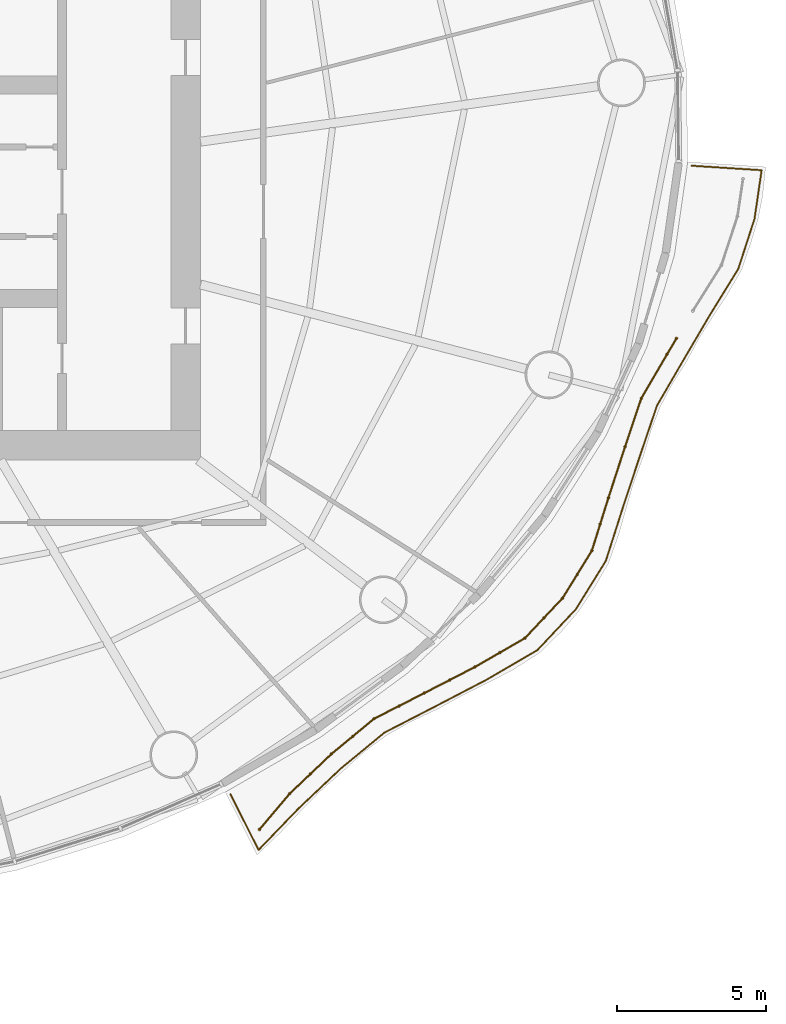
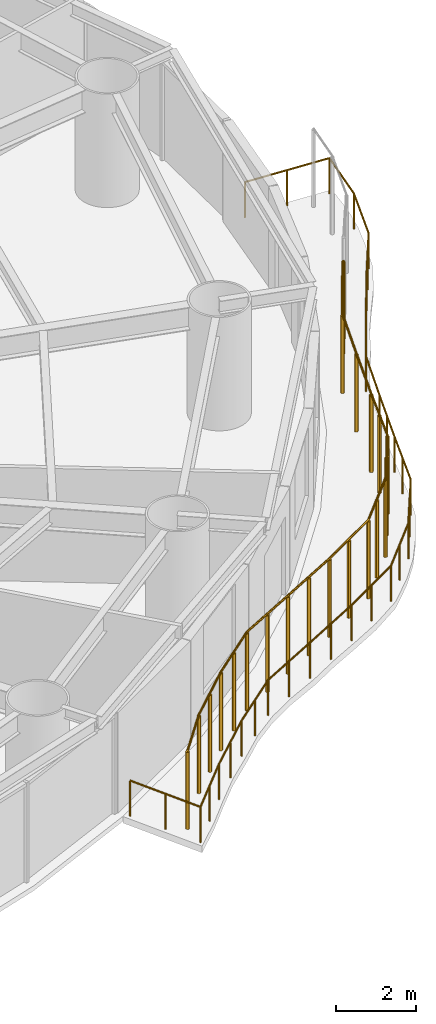
# One storey, part 14 of 17: 2 railings.
"""IFC4 building model written with IfcOpenShell, lengths in metres."""

from ifc_helpers import new_model, si_unit, direction, frame, origin, origin_2d, place, context, subcontext, project, spatial, circle, extrude, material, type_object, element, save


model = new_model("IFC4")

# Units and contexts
model_context = context("Model", 3, precision=1e-05, world=origin(), true_north=direction((0.0, 1.0)))
body_context = subcontext(model_context, "Body", "Model", "MODEL_VIEW")
ifc_project = project(units=[si_unit("LENGTHUNIT", "METRE"), si_unit("AREAUNIT", "SQUARE_METRE"), si_unit("VOLUMEUNIT", "CUBIC_METRE"), si_unit("PLANEANGLEUNIT", "RADIAN"), si_unit("MASSUNIT", "GRAM", prefix="KILO")], contexts=[model_context])

# Site, building, storey
site_placement = place(None, origin())
site = spatial("IfcSite", under=ifc_project, at=site_placement, CompositionType="ELEMENT")
building_placement = place(site_placement, origin())
building = spatial("IfcBuilding", under=site, at=building_placement, Name="Vermilion Reach Broadcast Tower", CompositionType="ELEMENT")
storey_placement = place(building_placement, frame((0.0, 0.0, 92.199951171875)))
storey = spatial("IfcBuildingStorey", under=building, at=storey_placement, Name="L20", CompositionType="ELEMENT", Elevation=92.199951171875)

# Railings
ifc_material_1 = material(Name="Terracotta baguette", Category="masonry")
railing_type_1 = type_object("IfcRailingType", Name="BAGUETTE SCREEN", PredefinedType="USERDEFINED", material=ifc_material_1)
railing_1_placement = place(storey_placement, frame((7.967529296875, -21.389404296875, 0.0)))
element("IfcRailing", 1, at=railing_1_placement, inside=storey, type_object=railing_type_1, Name="Baguette screen L20 group 4 part 1", ObjectType="BAGUETTE SCREEN", PredefinedType="USERDEFINED", context=body_context, shape_type="SweptSolid", body=[
    extrude(circle(Radius=0.030029296875, at=origin_2d()), frame((0.0, 0.0, 2.369873046875), z_axis=(0.645512007499, 0.763750121555, 0.0), x_axis=(-0.763750121555, 0.645512007499, 0.0)), (0.0, 0.0, 1.0), 1.57763671875),
    extrude(circle(Radius=0.030029296875, at=origin_2d()), frame((1.018310546875, 1.204833984375, 2.369873046875), z_axis=(0.724611846559, 0.689157218511, 0.0), x_axis=(-0.689157218511, 0.724611846559, 0.0)), (0.0, 0.0, 1.0), 1.93505859375),
    extrude(circle(Radius=0.030029296875, at=origin_2d()), frame((2.42041015625, 2.538330078125, 2.369873046875), z_axis=(0.771009540374, 0.63682359304, 0.0), x_axis=(-0.63682359304, 0.771009540374, 0.0)), (0.0, 0.0, 1.0), 1.85400390625),
    extrude(circle(Radius=0.030029296875, at=origin_2d()), frame((3.849853515625, 3.718994140625, 2.369873046875), z_axis=(0.89067539577, 0.454639790791, 0.0), x_axis=(-0.454639790791, 0.89067539577, 0.0)), (0.0, 0.0, 1.0), 1.8896484375),
    extrude(circle(Radius=0.030029296875, at=origin_2d()), frame((5.532958984375, 4.578125, 2.369873046875), z_axis=(0.88899357129, 0.457919676586, 0.0), x_axis=(-0.457919676586, 0.88899357129, 0.0)), (0.0, 0.0, 1.0), 1.900634765625),
    extrude(circle(Radius=0.030029296875, at=origin_2d()), frame((7.22265625, 5.448486328125, 2.369873046875), z_axis=(0.866323829841, 0.499482754306, 0.0), x_axis=(-0.499482754306, 0.866323829841, 0.0)), (0.0, 0.0, 1.0), 1.93994140625),
    extrude(circle(Radius=0.030029296875, at=origin_2d()), frame((8.9033203125, 6.41748046875, 2.369873046875), z_axis=(0.685076648594, 0.728470991564, 0.0), x_axis=(-0.728470991564, 0.685076648594, 0.0)), (0.0, 0.0, 1.0), 1.85107421875),
    extrude(circle(Radius=0.030029296875, at=origin_2d()), frame((10.17138671875, 7.765869140625, 2.369873046875), z_axis=(0.524982084645, 0.851113277303, 0.0), x_axis=(-0.851113277303, 0.524982084645, 0.0)), (0.0, 0.0, 1.0), 1.862548828125),
    extrude(circle(Radius=0.030029296875, at=origin_2d()), frame((11.149169921875, 9.35107421875, 2.369873046875), z_axis=(0.298968365669, 0.954263022614, 0.0), x_axis=(-0.954263022614, 0.298968365669, 0.0)), (0.0, 0.0, 1.0), 1.8642578125),
    extrude(circle(Radius=0.030029296875, at=origin_2d()), frame((11.70654296875, 11.130126953125, 2.369873046875), z_axis=(0.309420535369, 0.950925303214, 0.0), x_axis=(-0.950925303214, 0.309420535369, 0.0)), (0.0, 0.0, 1.0), 1.799072265625),
    extrude(circle(Radius=0.030029296875, at=origin_2d()), frame((12.26318359375, 12.8408203125, 2.369873046875), z_axis=(0.318285084406, 0.947995044842, 0.0), x_axis=(-0.947995044842, 0.318285084406, 0.0)), (0.0, 0.0, 1.0), 1.708251953125),
    extrude(circle(Radius=0.030029296875, at=origin_2d()), frame((12.806884765625, 14.460205078125, 2.369873046875), z_axis=(0.504937593844, 0.863155852858, 0.0), x_axis=(-0.863155852858, 0.504937593844, 0.0)), (0.0, 0.0, 1.0), 1.707275390625),
    extrude(circle(Radius=0.030029296875, at=origin_2d()), frame((13.6689453125, 15.933837890625, 2.369873046875), z_axis=(0.510079866834, 0.860127042623, 0.0), x_axis=(-0.860127042623, 0.510079866834, 0.0)), (0.0, 0.0, 1.0), 0.626953125),
    extrude(circle(Radius=0.050048828125, at=origin_2d()), origin(), (0.0, 0.0, 1.0), 2.33984375),
    extrude(circle(Radius=0.050048828125, at=origin_2d()), frame((1.018310546875, 1.204833984375, 0.0)), (0.0, 0.0, 1.0), 2.33984375),
    extrude(circle(Radius=0.050048828125, at=origin_2d()), frame((1.71923828125, 1.87158203125, 0.0)), (0.0, 0.0, 1.0), 2.33984375),
    extrude(circle(Radius=0.050048828125, at=origin_2d()), frame((2.42041015625, 2.538330078125, 0.0)), (0.0, 0.0, 1.0), 2.33984375),
    extrude(circle(Radius=0.050048828125, at=origin_2d()), frame((3.13525390625, 3.128662109375, 0.0)), (0.0, 0.0, 1.0), 2.33984375),
    extrude(circle(Radius=0.050048828125, at=origin_2d()), frame((3.849853515625, 3.718994140625, 0.0)), (0.0, 0.0, 1.0), 2.33984375),
    extrude(circle(Radius=0.050048828125, at=origin_2d()), frame((4.69140625, 4.1484375, 0.0)), (0.0, 0.0, 1.0), 2.33984375),
    extrude(circle(Radius=0.050048828125, at=origin_2d()), frame((5.532958984375, 4.578125, 0.0)), (0.0, 0.0, 1.0), 2.33984375),
    extrude(circle(Radius=0.050048828125, at=origin_2d()), frame((6.3779296875, 5.01318359375, 0.0)), (0.0, 0.0, 1.0), 2.33984375),
    extrude(circle(Radius=0.050048828125, at=origin_2d()), frame((7.22265625, 5.448486328125, 0.0)), (0.0, 0.0, 1.0), 2.33984375),
    extrude(circle(Radius=0.050048828125, at=origin_2d()), frame((8.06298828125, 5.93310546875, 0.0)), (0.0, 0.0, 1.0), 2.33984375),
    extrude(circle(Radius=0.050048828125, at=origin_2d()), frame((8.9033203125, 6.41748046875, 0.0)), (0.0, 0.0, 1.0), 2.33984375),
    extrude(circle(Radius=0.050048828125, at=origin_2d()), frame((9.537353515625, 7.091796875, 0.0)), (0.0, 0.0, 1.0), 2.33984375),
    extrude(circle(Radius=0.050048828125, at=origin_2d()), frame((10.17138671875, 7.765869140625, 0.0)), (0.0, 0.0, 1.0), 2.33984375),
    extrude(circle(Radius=0.050048828125, at=origin_2d()), frame((10.66015625, 8.55859375, 0.0)), (0.0, 0.0, 1.0), 2.33984375),
    extrude(circle(Radius=0.050048828125, at=origin_2d()), frame((11.149169921875, 9.35107421875, 0.0)), (0.0, 0.0, 1.0), 2.33984375),
    extrude(circle(Radius=0.050048828125, at=origin_2d()), frame((11.427734375, 10.24072265625, 0.0)), (0.0, 0.0, 1.0), 2.33984375),
    extrude(circle(Radius=0.050048828125, at=origin_2d()), frame((11.70654296875, 11.130126953125, 0.0)), (0.0, 0.0, 1.0), 2.33984375),
    extrude(circle(Radius=0.050048828125, at=origin_2d()), frame((12.26318359375, 12.8408203125, 0.0)), (0.0, 0.0, 1.0), 2.33984375),
    extrude(circle(Radius=0.050048828125, at=origin_2d()), frame((12.806884765625, 14.460205078125, 0.0)), (0.0, 0.0, 1.0), 2.33984375),
    extrude(circle(Radius=0.050048828125, at=origin_2d()), frame((13.6689453125, 15.933837890625, 0.0)), (0.0, 0.0, 1.0), 2.33984375),
    extrude(circle(Radius=0.050048828125, at=origin_2d()), frame((13.98876953125, 16.47314453125, 0.0)), (0.0, 0.0, 1.0), 2.33984375),
])
ifc_material_2 = material(Name="Stainless steel 316 balustrade", Category="steel")
railing_type_2 = type_object("IfcRailingType", Name="Balcony guard 1100", PredefinedType="BALUSTRADE", material=ifc_material_2)
railing_2_placement = place(storey_placement, frame((7.00048828125, -20.20556640625, 0.0)))
element("IfcRailing", 2, at=railing_2_placement, inside=storey, type_object=railing_type_2, Name="Balcony guard L20 group 4", PredefinedType="BALUSTRADE", context=body_context, shape_type="SweptSolid", body=[
    extrude(circle(Radius=0.02490234375, at=origin_2d()), frame((0.0, 0.0, 1.0751953125), z_axis=(0.4508531432, -0.892598142092, 0.0), x_axis=(0.892598142092, 0.4508531432, 0.0)), (0.0, 0.0, 1.0), 2.0908203125),
    extrude(circle(Radius=0.02490234375, at=origin_2d()), frame((0.942626953125, -1.8662109375, 1.0751953125), z_axis=(0.693316890698, 0.720632839296, 0.0), x_axis=(-0.720632839296, 0.693316890698, 0.0)), (0.0, 0.0, 1.0), 1.921630859375),
    extrude(circle(Radius=0.02490234375, at=origin_2d()), frame((2.27490234375, -0.4814453125, 1.0751953125), z_axis=(0.727051019307, 0.686583436535, 0.0), x_axis=(-0.686583436535, 0.727051019307, 0.0)), (0.0, 0.0, 1.0), 1.966796875),
    extrude(circle(Radius=0.02490234375, at=origin_2d()), frame((3.704833984375, 0.868896484375, 1.0751953125), z_axis=(0.771889145204, 0.635757145077, 0.0), x_axis=(-0.635757145077, 0.771889145204, 0.0)), (0.0, 0.0, 1.0), 1.88671875),
    extrude(circle(Radius=0.02490234375, at=origin_2d()), frame((5.1611328125, 2.068359375, 1.0751953125), z_axis=(0.889109218451, 0.457695092463, 0.0), x_axis=(-0.457695092463, 0.889109218451, 0.0)), (0.0, 0.0, 1.0), 1.9228515625),
    extrude(circle(Radius=0.02490234375, at=origin_2d()), frame((6.870849609375, 2.948486328125, 1.0751953125), z_axis=(0.887061694042, 0.461650897284, 0.0), x_axis=(-0.461650897284, 0.887061694042, 0.0)), (0.0, 0.0, 1.0), 1.933349609375),
    extrude(circle(Radius=0.02490234375, at=origin_2d()), frame((8.5859375, 3.841064453125, 1.0751953125), z_axis=(0.863980652686, 0.503525006117, 0.0), x_axis=(-0.503525006117, 0.863980652686, 0.0)), (0.0, 0.0, 1.0), 1.974365234375),
    extrude(circle(Radius=0.02490234375, at=origin_2d()), frame((10.291748046875, 4.835205078125, 1.0751953125), z_axis=(0.684762957498, 0.72876586915, 0.0), x_axis=(-0.72876586915, 0.684762957498, 0.0)), (0.0, 0.0, 1.0), 1.886474609375),
    extrude(circle(Radius=0.02490234375, at=origin_2d()), frame((11.58349609375, 6.2099609375, 1.0751953125), z_axis=(0.526783703984, 0.849999370127, 0.0), x_axis=(-0.849999370127, 0.526783703984, 0.0)), (0.0, 0.0, 1.0), 1.899658203125),
    extrude(circle(Radius=0.02490234375, at=origin_2d()), frame((12.584228515625, 7.82470703125, 1.0751953125), z_axis=(0.304444636728, 0.952530032685, 0.0), x_axis=(-0.952530032685, 0.304444636728, 0.0)), (0.0, 0.0, 1.0), 1.899658203125),
    extrude(circle(Radius=0.02490234375, at=origin_2d()), frame((13.16259765625, 9.63427734375, 1.0751953125), z_axis=(0.313874726929, 0.949464404702, 0.0), x_axis=(-0.949464404702, 0.313874726929, 0.0)), (0.0, 0.0, 1.0), 1.837158203125),
    extrude(circle(Radius=0.02490234375, at=origin_2d()), frame((13.7392578125, 11.378662109375, 1.0751953125), z_axis=(0.321253828138, 0.94699312453, 0.0), x_axis=(-0.94699312453, 0.321253828138, 0.0)), (0.0, 0.0, 1.0), 1.7470703125),
    extrude(circle(Radius=0.02490234375, at=origin_2d()), frame((14.300537109375, 13.033203125, 1.0751953125), z_axis=(0.502263554383, 0.864714589873, 0.0), x_axis=(-0.864714589873, 0.502263554383, 0.0)), (0.0, 0.0, 1.0), 1.748046875),
    extrude(circle(Radius=0.02490234375, at=origin_2d()), frame((15.178466796875, 14.544677734375, 1.0751953125), z_axis=(0.505959276566, 0.862557366473, 0.0), x_axis=(-0.862557366473, 0.505959276566, 0.0)), (0.0, 0.0, 1.0), 1.750732421875),
    extrude(circle(Radius=0.02490234375, at=origin_2d()), frame((16.064208984375, 16.0546875, 1.0751953125), z_axis=(0.524253437705, 0.851562289592, 0.0), x_axis=(-0.851562289592, 0.524253437705, 0.0)), (0.0, 0.0, 1.0), 1.83349609375),
    extrude(circle(Radius=0.02490234375, at=origin_2d()), frame((17.025390625, 17.615966796875, 1.0751953125), z_axis=(0.308826269319, 0.951118465481, 0.0), x_axis=(-0.951118465481, 0.308826269319, 0.0)), (0.0, 0.0, 1.0), 1.763671875),
    extrude(circle(Radius=0.02490234375, at=origin_2d()), frame((17.570068359375, 19.29345703125, 1.0751953125), z_axis=(0.144448936896, 0.989512255927, 0.0), x_axis=(-0.989512255927, 0.144448936896, 0.0)), (0.0, 0.0, 1.0), 1.64794921875),
    extrude(circle(Radius=0.02490234375, at=origin_2d()), frame((17.80810546875, 20.924072265625, 1.0751953125), z_axis=(-0.997949358924, 0.064008413692, 0.0), x_axis=(-0.064008413692, -0.997949358924, 0.0)), (0.0, 0.0, 1.0), 2.349609375),
    extrude(circle(Radius=0.02490234375, at=origin_2d()), origin(), (0.0, 0.0, 1.0), 1.050048828125),
    extrude(circle(Radius=0.02490234375, at=origin_2d()), frame((0.47119140625, -0.93310546875, 0.0)), (0.0, 0.0, 1.0), 1.050048828125),
    extrude(circle(Radius=0.02490234375, at=origin_2d()), frame((0.942626953125, -1.8662109375, 0.0)), (0.0, 0.0, 1.0), 1.050048828125),
    extrude(circle(Radius=0.02490234375, at=origin_2d()), frame((1.60888671875, -1.173828125, 0.0)), (0.0, 0.0, 1.0), 1.050048828125),
    extrude(circle(Radius=0.02490234375, at=origin_2d()), frame((2.27490234375, -0.4814453125, 0.0)), (0.0, 0.0, 1.0), 1.050048828125),
    extrude(circle(Radius=0.02490234375, at=origin_2d()), frame((2.98974609375, 0.19384765625, 0.0)), (0.0, 0.0, 1.0), 1.050048828125),
    extrude(circle(Radius=0.02490234375, at=origin_2d()), frame((3.704833984375, 0.868896484375, 0.0)), (0.0, 0.0, 1.0), 1.050048828125),
    extrude(circle(Radius=0.02490234375, at=origin_2d()), frame((4.43310546875, 1.46875, 0.0)), (0.0, 0.0, 1.0), 1.050048828125),
    extrude(circle(Radius=0.02490234375, at=origin_2d()), frame((5.1611328125, 2.068359375, 0.0)), (0.0, 0.0, 1.0), 1.050048828125),
    extrude(circle(Radius=0.02490234375, at=origin_2d()), frame((6.01611328125, 2.50830078125, 0.0)), (0.0, 0.0, 1.0), 1.050048828125),
    extrude(circle(Radius=0.02490234375, at=origin_2d()), frame((6.870849609375, 2.948486328125, 0.0)), (0.0, 0.0, 1.0), 1.050048828125),
    extrude(circle(Radius=0.02490234375, at=origin_2d()), frame((7.728515625, 3.394775390625, 0.0)), (0.0, 0.0, 1.0), 1.050048828125),
    extrude(circle(Radius=0.02490234375, at=origin_2d()), frame((8.5859375, 3.841064453125, 0.0)), (0.0, 0.0, 1.0), 1.050048828125),
    extrude(circle(Radius=0.02490234375, at=origin_2d()), frame((9.43896484375, 4.338134765625, 0.0)), (0.0, 0.0, 1.0), 1.050048828125),
    extrude(circle(Radius=0.02490234375, at=origin_2d()), frame((10.291748046875, 4.835205078125, 0.0)), (0.0, 0.0, 1.0), 1.050048828125),
    extrude(circle(Radius=0.02490234375, at=origin_2d()), frame((10.9375, 5.5224609375, 0.0)), (0.0, 0.0, 1.0), 1.050048828125),
    extrude(circle(Radius=0.02490234375, at=origin_2d()), frame((11.58349609375, 6.2099609375, 0.0)), (0.0, 0.0, 1.0), 1.050048828125),
    extrude(circle(Radius=0.02490234375, at=origin_2d()), frame((12.083984375, 7.017333984375, 0.0)), (0.0, 0.0, 1.0), 1.050048828125),
    extrude(circle(Radius=0.02490234375, at=origin_2d()), frame((12.584228515625, 7.82470703125, 0.0)), (0.0, 0.0, 1.0), 1.050048828125),
    extrude(circle(Radius=0.02490234375, at=origin_2d()), frame((12.87353515625, 8.7294921875, 0.0)), (0.0, 0.0, 1.0), 1.050048828125),
    extrude(circle(Radius=0.02490234375, at=origin_2d()), frame((13.16259765625, 9.63427734375, 0.0)), (0.0, 0.0, 1.0), 1.050048828125),
    extrude(circle(Radius=0.02490234375, at=origin_2d()), frame((13.450927734375, 10.50634765625, 0.0)), (0.0, 0.0, 1.0), 1.050048828125),
    extrude(circle(Radius=0.02490234375, at=origin_2d()), frame((13.7392578125, 11.378662109375, 0.0)), (0.0, 0.0, 1.0), 1.050048828125),
    extrude(circle(Radius=0.02490234375, at=origin_2d()), frame((14.300537109375, 13.033203125, 0.0)), (0.0, 0.0, 1.0), 1.050048828125),
    extrude(circle(Radius=0.02490234375, at=origin_2d()), frame((15.178466796875, 14.544677734375, 0.0)), (0.0, 0.0, 1.0), 1.050048828125),
    extrude(circle(Radius=0.02490234375, at=origin_2d()), frame((16.064208984375, 16.0546875, 0.0)), (0.0, 0.0, 1.0), 1.050048828125),
    extrude(circle(Radius=0.02490234375, at=origin_2d()), frame((16.544921875, 16.83544921875, 0.0)), (0.0, 0.0, 1.0), 1.050048828125),
    extrude(circle(Radius=0.02490234375, at=origin_2d()), frame((17.025390625, 17.615966796875, 0.0)), (0.0, 0.0, 1.0), 1.050048828125),
    extrude(circle(Radius=0.02490234375, at=origin_2d()), frame((17.570068359375, 19.29345703125, 0.0)), (0.0, 0.0, 1.0), 1.050048828125),
    extrude(circle(Radius=0.02490234375, at=origin_2d()), frame((17.80810546875, 20.924072265625, 0.0)), (0.0, 0.0, 1.0), 1.050048828125),
    extrude(circle(Radius=0.02490234375, at=origin_2d()), frame((16.6357421875, 20.999267578125, 0.0)), (0.0, 0.0, 1.0), 1.050048828125),
    extrude(circle(Radius=0.02490234375, at=origin_2d()), frame((15.46337890625, 21.074462890625, 0.0)), (0.0, 0.0, 1.0), 1.050048828125),
])

save(model, "model.ifc")
